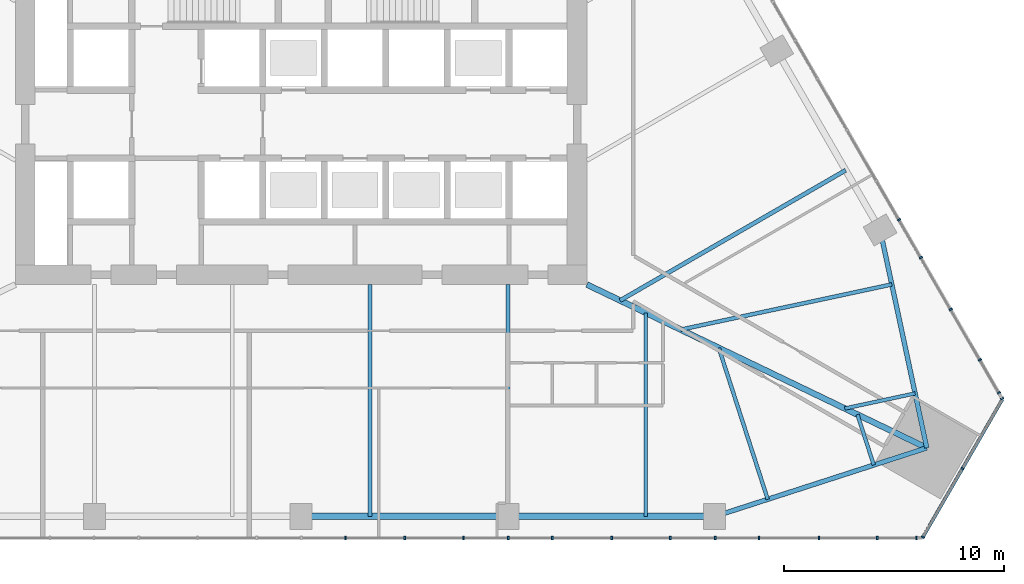
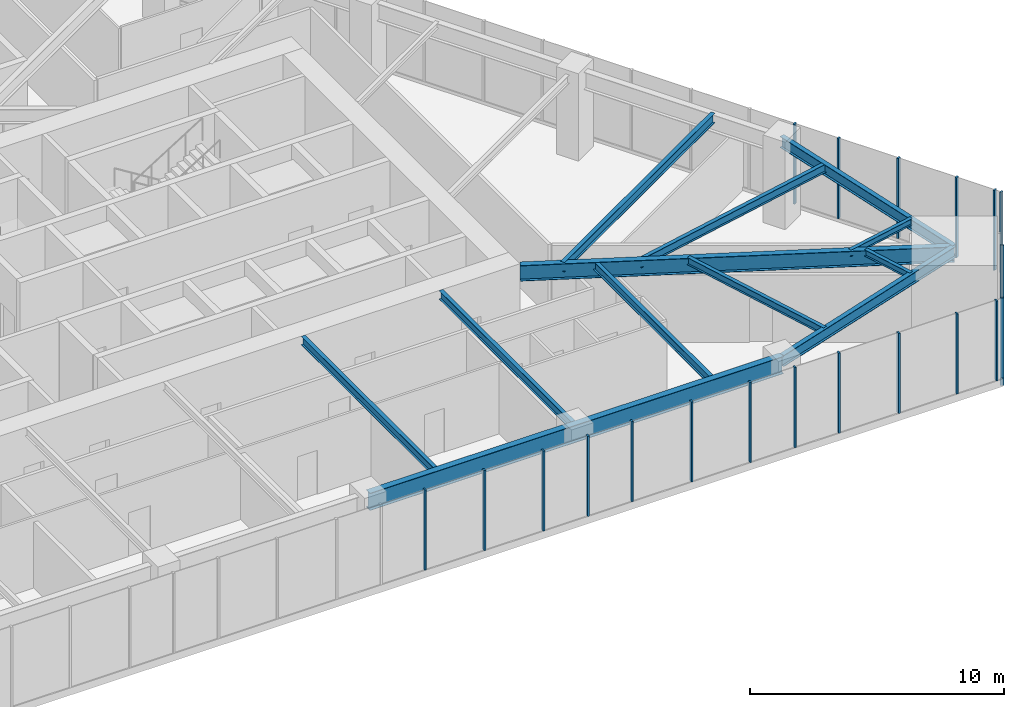
# One storey, part 6 of 21: 21 members, 12 beams, 3 elements without a shape of their own.
"""IFC4 building model written with IfcOpenShell, lengths in metres."""

from ifc_helpers import new_model, si_unit, direction, frame, origin, origin_2d, place, context, subcontext, project, spatial, rectangle, i_section, extrude, material, layer, layer_set, material_profile, profile_set, type_object, element, aggregate, save


model = new_model("IFC4")

# Units and contexts
model_context = context("Model", 3, precision=1e-05, world=origin(), true_north=direction((0.0, 1.0)))
body_context = subcontext(model_context, "Body", "Model", "MODEL_VIEW")
ifc_project = project(units=[si_unit("LENGTHUNIT", "METRE"), si_unit("AREAUNIT", "SQUARE_METRE"), si_unit("VOLUMEUNIT", "CUBIC_METRE"), si_unit("PLANEANGLEUNIT", "RADIAN"), si_unit("MASSUNIT", "GRAM", prefix="KILO")], contexts=[model_context])

# Site, building, storey
site_placement = place(None, origin())
site = spatial("IfcSite", under=ifc_project, at=site_placement, CompositionType="ELEMENT")
building_placement = place(site_placement, origin())
building = spatial("IfcBuilding", under=site, at=building_placement, Name="Firuza Gate Tower and Library", CompositionType="ELEMENT")
storey_placement = place(building_placement, frame((0.0, 0.0, 98.800048828125)))
storey = spatial("IfcBuildingStorey", under=building, at=storey_placement, Name="L22", CompositionType="ELEMENT", Elevation=98.800048828125)

# Curtain wall, members
ifc_material_1 = material(Name="Aluminium 6063-T6", Category="aluminium")
ifc_layer_1 = layer(ifc_material_1, 0.14990234375)
ifc_layer_set_1 = layer_set([ifc_layer_1], Name="Unitised curtain wall, offices")
curtain_wall_type_1 = type_object("IfcCurtainWallType", Name="Unitised curtain wall, offices", PredefinedType="NOTDEFINED", material=ifc_layer_set_1)
placement = place(storey_placement, origin())
curtain_wall_1 = element("IfcCurtainWall", 1, at=placement, inside=storey, type_object=curtain_wall_type_1, Name="CW1 L22 S face", PredefinedType="NOTDEFINED")
ifc_material_2 = material(Name="Aluminium 6063-T6", Category="aluminium")
ifc_material_profile_1 = material_profile(ifc_material_2, rectangle(XDim=0.14990234375, YDim=0.080078125, at=origin_2d()))
ifc_profile_set_1 = profile_set([ifc_material_profile_1], Name="Aluminium 6063-T6")
member_type_1 = type_object("IfcMemberType", Name="Curtain wall mullion 80x150", PredefinedType="MULLION", material=ifc_profile_set_1)
member_1_placement = place(storey_placement, frame((79.708984375, 54.48095703125, 0.14990234375), z_axis=(0.0, 0.0, 1.0), x_axis=(0.0, 1.0, 0.0)))
member_1 = element("IfcMember", 2, at=member_1_placement, type_object=member_type_1, Name="Mullion", PredefinedType="MULLION", context=body_context, shape_type="SweptSolid", body=[
    extrude(rectangle(XDim=0.14990234375, YDim=0.080078125, at=origin_2d()), origin(), (0.0, 0.0, 1.0), 3.85009765625),
])
member_2_placement = place(storey_placement, frame((84.417724609375, 54.48095703125, 0.14990234375), z_axis=(0.0, 0.0, 1.0), x_axis=(0.0, 1.0, 0.0)))
member_2 = element("IfcMember", 3, at=member_2_placement, type_object=member_type_1, Name="Mullion", PredefinedType="MULLION", context=body_context, shape_type="SweptSolid", body=[
    extrude(rectangle(XDim=0.14990234375, YDim=0.080078125, at=origin_2d()), origin(), (0.0, 0.0, 1.0), 3.85009765625),
])
member_3_placement = place(storey_placement, frame((89.126708984375, 54.48095703125, 0.14990234375), z_axis=(0.0, 0.0, 1.0), x_axis=(0.0, 1.0, 0.0)))
member_3 = element("IfcMember", 4, at=member_3_placement, type_object=member_type_1, Name="Mullion", PredefinedType="MULLION", context=body_context, shape_type="SweptSolid", body=[
    extrude(rectangle(XDim=0.14990234375, YDim=0.080078125, at=origin_2d()), origin(), (0.0, 0.0, 1.0), 3.85009765625),
])
member_4_placement = place(storey_placement, frame((93.835693359375, 54.48095703125, 0.14990234375), z_axis=(0.0, 0.0, 1.0), x_axis=(0.0, 1.0, 0.0)))
member_4 = element("IfcMember", 5, at=member_4_placement, type_object=member_type_1, Name="Mullion", PredefinedType="MULLION", context=body_context, shape_type="SweptSolid", body=[
    extrude(rectangle(XDim=0.14990234375, YDim=0.080078125, at=origin_2d()), origin(), (0.0, 0.0, 1.0), 3.85009765625),
])
member_5_placement = place(storey_placement, frame((98.54443359375, 54.48095703125, 0.14990234375), z_axis=(0.0, 0.0, 1.0), x_axis=(0.0, 1.0, 0.0)))
member_5 = element("IfcMember", 6, at=member_5_placement, type_object=member_type_1, Name="Mullion", PredefinedType="MULLION", context=body_context, shape_type="SweptSolid", body=[
    extrude(rectangle(XDim=0.14990234375, YDim=0.080078125, at=origin_2d()), origin(), (0.0, 0.0, 1.0), 3.85009765625),
])
member_6_placement = place(storey_placement, frame((77.0166015625, 54.48095703125, 0.14990234375), z_axis=(0.0, 0.0, 1.0), x_axis=(0.0, 1.0, 0.0)))
member_6 = element("IfcMember", 7, at=member_6_placement, type_object=member_type_1, Name="Mullion", PredefinedType="MULLION", context=body_context, shape_type="SweptSolid", body=[
    extrude(rectangle(XDim=0.14990234375, YDim=0.080078125, at=origin_2d()), origin(), (0.0, 0.0, 1.0), 3.85009765625),
])
member_7_placement = place(storey_placement, frame((82.38671875, 54.48095703125, 0.14990234375), z_axis=(0.0, 0.0, 1.0), x_axis=(0.0, 1.0, 0.0)))
member_7 = element("IfcMember", 8, at=member_7_placement, type_object=member_type_1, Name="Mullion", PredefinedType="MULLION", context=body_context, shape_type="SweptSolid", body=[
    extrude(rectangle(XDim=0.14990234375, YDim=0.080078125, at=origin_2d()), origin(), (0.0, 0.0, 1.0), 3.85009765625),
])
member_8_placement = place(storey_placement, frame((86.420166015625, 54.48095703125, 0.14990234375), z_axis=(0.0, 0.0, 1.0), x_axis=(0.0, 1.0, 0.0)))
member_8 = element("IfcMember", 9, at=member_8_placement, type_object=member_type_1, Name="Mullion", PredefinedType="MULLION", context=body_context, shape_type="SweptSolid", body=[
    extrude(rectangle(XDim=0.14990234375, YDim=0.080078125, at=origin_2d()), origin(), (0.0, 0.0, 1.0), 3.85009765625),
])
member_9_placement = place(storey_placement, frame((91.7900390625, 54.48095703125, 0.14990234375), z_axis=(0.0, 0.0, 1.0), x_axis=(0.0, 1.0, 0.0)))
member_9 = element("IfcMember", 10, at=member_9_placement, type_object=member_type_1, Name="Mullion", PredefinedType="MULLION", context=body_context, shape_type="SweptSolid", body=[
    extrude(rectangle(XDim=0.14990234375, YDim=0.080078125, at=origin_2d()), origin(), (0.0, 0.0, 1.0), 3.85009765625),
])
member_10_placement = place(storey_placement, frame((95.823486328125, 54.48095703125, 0.14990234375), z_axis=(0.0, 0.0, 1.0), x_axis=(0.0, 1.0, 0.0)))
member_10 = element("IfcMember", 11, at=member_10_placement, type_object=member_type_1, Name="Mullion", PredefinedType="MULLION", context=body_context, shape_type="SweptSolid", body=[
    extrude(rectangle(XDim=0.14990234375, YDim=0.080078125, at=origin_2d()), origin(), (0.0, 0.0, 1.0), 3.85009765625),
])
member_11_placement = place(storey_placement, frame((101.193359375, 54.48095703125, 0.14990234375), z_axis=(0.0, 0.0, 1.0), x_axis=(0.0, 1.0, 0.0)))
member_11 = element("IfcMember", 12, at=member_11_placement, type_object=member_type_1, Name="Mullion", PredefinedType="MULLION", context=body_context, shape_type="SweptSolid", body=[
    extrude(rectangle(XDim=0.14990234375, YDim=0.080078125, at=origin_2d()), origin(), (0.0, 0.0, 1.0), 3.85009765625),
])
member_12_placement = place(storey_placement, frame((102.9873046875, 54.48095703125, 0.14990234375), z_axis=(0.0, 0.0, 1.0), x_axis=(0.0, 1.0, 0.0)))
member_12 = element("IfcMember", 13, at=member_12_placement, type_object=member_type_1, Name="Mullion", PredefinedType="MULLION", context=body_context, shape_type="SweptSolid", body=[
    extrude(rectangle(XDim=0.14990234375, YDim=0.080078125, at=origin_2d()), origin(), (0.0, 0.0, 1.0), 3.85009765625),
])
aggregate(curtain_wall_1, [member_1, member_2, member_3, member_4, member_5, member_6, member_7, member_8, member_9, member_10, member_11, member_12])

ifc_material_3 = material(Name="Aluminium 6063-T6", Category="aluminium")
ifc_layer_2 = layer(ifc_material_3, 0.14990234375)
ifc_layer_set_2 = layer_set([ifc_layer_2], Name="Corner curtain wall, chamfers")
curtain_wall_type_2 = type_object("IfcCurtainWallType", Name="Corner curtain wall, chamfers", PredefinedType="NOTDEFINED", material=ifc_layer_set_2)
curtain_wall_2 = element("IfcCurtainWall", 14, at=placement, inside=storey, type_object=curtain_wall_type_2, Name="CW4 L22 SE corner", PredefinedType="NOTDEFINED")
member_13_placement = place(storey_placement, frame((103.2734375, 54.515625, 0.14990234375), z_axis=(0.0, 0.0, 1.0), x_axis=(-0.866025403784, 0.5, 0.0)))
member_13 = element("IfcMember", 15, at=member_13_placement, type_object=member_type_1, Name="Mullion", PredefinedType="MULLION", context=body_context, shape_type="SweptSolid", body=[
    extrude(rectangle(XDim=0.14990234375, YDim=0.080078125, at=origin_2d()), origin(), (0.0, 0.0, 1.0), 3.85009765625),
])
member_14_placement = place(storey_placement, frame((105.074951171875, 57.63623046875, 0.14990234375), z_axis=(0.0, 0.0, 1.0), x_axis=(-0.866025403784, 0.5, 0.0)))
member_14 = element("IfcMember", 16, at=member_14_placement, type_object=member_type_1, Name="Mullion", PredefinedType="MULLION", context=body_context, shape_type="SweptSolid", body=[
    extrude(rectangle(XDim=0.14990234375, YDim=0.080078125, at=origin_2d()), origin(), (0.0, 0.0, 1.0), 3.85009765625),
])

curtain_wall_3 = element("IfcCurtainWall", 17, at=placement, inside=storey, type_object=curtain_wall_type_1, Name="CW1 L22 E face", PredefinedType="NOTDEFINED")
member_15_placement = place(storey_placement, frame((106.876708984375, 60.825927734375, 0.14990234375), z_axis=(0.0, 0.0, 1.0), x_axis=(-0.866025403784, -0.5, 0.0)))
member_15 = element("IfcMember", 18, at=member_15_placement, type_object=member_type_1, Name="Mullion", PredefinedType="MULLION", context=body_context, shape_type="SweptSolid", body=[
    extrude(rectangle(XDim=0.14990234375, YDim=0.080078125, at=origin_2d()), origin(), (0.0, 0.0, 1.0), 3.85009765625),
])
member_16_placement = place(storey_placement, frame((104.542236328125, 64.869384765625, 0.14990234375), z_axis=(0.0, 0.0, 1.0), x_axis=(-0.866025403784, -0.5, 0.0)))
member_16 = element("IfcMember", 19, at=member_16_placement, type_object=member_type_1, Name="Mullion", PredefinedType="MULLION", context=body_context, shape_type="SweptSolid", body=[
    extrude(rectangle(XDim=0.14990234375, YDim=0.080078125, at=origin_2d()), origin(), (0.0, 0.0, 1.0), 3.85009765625),
])
member_17_placement = place(storey_placement, frame((102.187744140625, 68.947509765625, 0.14990234375), z_axis=(0.0, 0.0, 1.0), x_axis=(-0.866025403784, -0.5, 0.0)))
member_17 = element("IfcMember", 20, at=member_17_placement, type_object=member_type_1, Name="Mullion", PredefinedType="MULLION", context=body_context, shape_type="SweptSolid", body=[
    extrude(rectangle(XDim=0.14990234375, YDim=0.080078125, at=origin_2d()), origin(), (0.0, 0.0, 1.0), 3.85009765625),
])
member_18_placement = place(storey_placement, frame((106.731201171875, 61.078125, 0.14990234375), z_axis=(0.0, 0.0, 1.0), x_axis=(-0.866025403784, -0.5, 0.0)))
member_18 = element("IfcMember", 21, at=member_18_placement, type_object=member_type_1, Name="Mullion", PredefinedType="MULLION", context=body_context, shape_type="SweptSolid", body=[
    extrude(rectangle(XDim=0.14990234375, YDim=0.080078125, at=origin_2d()), origin(), (0.0, 0.0, 1.0), 3.85009765625),
])
member_19_placement = place(storey_placement, frame((105.86669921875, 62.575439453125, 0.14990234375), z_axis=(0.0, 0.0, 1.0), x_axis=(-0.866025403784, -0.5, 0.0)))
member_19 = element("IfcMember", 22, at=member_19_placement, type_object=member_type_1, Name="Mullion", PredefinedType="MULLION", context=body_context, shape_type="SweptSolid", body=[
    extrude(rectangle(XDim=0.14990234375, YDim=0.080078125, at=origin_2d()), origin(), (0.0, 0.0, 1.0), 3.85009765625),
])
member_20_placement = place(storey_placement, frame((103.181640625, 67.225830078125, 0.14990234375), z_axis=(0.0, 0.0, 1.0), x_axis=(-0.866025403784, -0.5, 0.0)))
member_20 = element("IfcMember", 23, at=member_20_placement, type_object=member_type_1, Name="Mullion", PredefinedType="MULLION", context=body_context, shape_type="SweptSolid", body=[
    extrude(rectangle(XDim=0.14990234375, YDim=0.080078125, at=origin_2d()), origin(), (0.0, 0.0, 1.0), 3.85009765625),
])
aggregate(curtain_wall_3, [member_15, member_16, member_17, member_18, member_19, member_20])

# Member
ifc_material_4 = material(Name="Aluminium 6063-T6", Category="aluminium")
ifc_material_profile_2 = material_profile(ifc_material_4, rectangle(XDim=0.14990234375, YDim=0.35009765625, at=origin_2d()))
ifc_profile_set_2 = profile_set([ifc_material_profile_2], Name="Aluminium 6063-T6")
member_type_2 = type_object("IfcMemberType", Name="Curtain wall transom 350x150", PredefinedType="USERDEFINED", material=ifc_profile_set_2)
member_21_placement = place(storey_placement, frame((103.25341796875, 54.48095703125, -0.025146484375), z_axis=(0.500005719219, 0.866022101766, 0.0), x_axis=(-0.866022101766, 0.500005719219, 0.0)))
member_21 = element("IfcMember", 24, at=member_21_placement, type_object=member_type_2, Name="Transom", ObjectType="TRANSOM", PredefinedType="USERDEFINED", context=body_context, shape_type="SweptSolid", body=[
    extrude(rectangle(XDim=0.14990234375, YDim=0.35009765625, at=origin_2d()), origin(), (0.0, 0.0, 1.0), 7.28662109375),
])

aggregate(curtain_wall_2, [member_13, member_14, member_21])

# Beams
ifc_material_5 = material(Name="Steel S355", Category="steel")
ifc_material_profile_3 = material_profile(ifc_material_5, i_section(OverallWidth=0.1650390625, OverallDepth=0.31005859375, WebThickness=0.005859375, FlangeThickness=0.009765625, at=origin_2d()))
ifc_profile_set_3 = profile_set([ifc_material_profile_3], Name="Steel S355")
beam_type_1 = type_object("IfcBeamType", Name="W310x39 Floor beam", PredefinedType="JOIST", material=ifc_profile_set_3)
beam_1_placement = place(storey_placement, frame((101.0400390625, 57.794189453125, 3.844970703125), z_axis=(-0.307529192358, 0.951538646534, 0.0), x_axis=(-0.951538646534, -0.307529192358, 0.0)))
element("IfcBeam", 25, at=beam_1_placement, inside=storey, type_object=beam_type_1, Name="Floor beam L22 s31", PredefinedType="JOIST", context=body_context, shape_type="SweptSolid", body=[
    extrude(i_section(OverallWidth=0.1650390625, OverallDepth=0.31005859375, WebThickness=0.005859375, FlangeThickness=0.009765625, at=origin_2d()), origin(), (0.0, 0.0, 1.0), 2.411865234375),
])
beam_2_placement = place(storey_placement, frame((102.920654296875, 61.051513671875, 3.844970703125), z_axis=(-0.97783625128, -0.209371119503, 0.0), x_axis=(0.209371119503, -0.97783625128, 0.0)))
element("IfcBeam", 26, at=beam_2_placement, inside=storey, type_object=beam_type_1, Name="Floor beam L22 s40", PredefinedType="JOIST", context=body_context, shape_type="SweptSolid", body=[
    extrude(i_section(OverallWidth=0.1650390625, OverallDepth=0.31005859375, WebThickness=0.005859375, FlangeThickness=0.009765625, at=origin_2d()), origin(), (0.0, 0.0, 1.0), 3.27197265625),
])
ifc_material_6 = material(Name="Steel S355", Category="steel")
ifc_material_profile_4 = material_profile(ifc_material_6, i_section(OverallWidth=0.1708984375, OverallDepth=0.35498046875, WebThickness=0.007080078125, FlangeThickness=0.01171875, at=origin_2d()))
ifc_profile_set_4 = profile_set([ifc_material_profile_4], Name="Steel S355")
beam_type_2 = type_object("IfcBeamType", Name="W360x51 Floor beam", PredefinedType="JOIST", material=ifc_profile_set_4)
beam_3_placement = place(storey_placement, frame((96.2177734375, 56.2353515625, 3.822509765625), z_axis=(-0.307569618225, 0.951525580289, 0.0), x_axis=(-0.951525580289, -0.307569618225, 0.0)))
element("IfcBeam", 27, at=beam_3_placement, inside=storey, type_object=beam_type_2, Name="Floor beam L22 s30", PredefinedType="JOIST", context=body_context, shape_type="SweptSolid", body=[
    extrude(i_section(OverallWidth=0.1708984375, OverallDepth=0.35498046875, WebThickness=0.007080078125, FlangeThickness=0.01171875, at=origin_2d()), origin(), (0.0, 0.0, 1.0), 7.2353515625),
])
ifc_material_7 = material(Name="Steel S355", Category="steel")
ifc_material_profile_5 = material_profile(ifc_material_7, i_section(OverallWidth=0.177978515625, OverallDepth=0.406982421875, WebThickness=0.0078125, FlangeThickness=0.0126953125, at=origin_2d()))
ifc_profile_set_5 = profile_set([ifc_material_profile_5], Name="Steel S355")
beam_type_3 = type_object("IfcBeamType", Name="W410x60 Floor beam", PredefinedType="JOIST", material=ifc_profile_set_5)
for number, where, z_axis, x_axis, name in (
    (28, (78.134521484375, 55.4560546875, 3.79638671875), (0.0, 1.0, 0.0), (-1.0, 0.0, 0.0), "Floor beam L22 s23"),
    (29, (84.4033203125, 55.4560546875, 3.79638671875), (0.0, 1.0, 0.0), (-1.0, 0.0, 0.0), "Floor beam L22 s24"),
):
    element("IfcBeam", number, at=place(storey_placement, frame(where, z_axis=z_axis, x_axis=x_axis)), inside=storey, type_object=beam_type_3, Name=name, PredefinedType="JOIST", context=body_context, shape_type="SweptSolid", body=[
        extrude(i_section(OverallWidth=0.177978515625, OverallDepth=0.406982421875, WebThickness=0.0078125, FlangeThickness=0.0126953125, at=origin_2d()), origin(), (0.0, 0.0, 1.0), 10.5439453125),
    ])
beam_4_placement = place(storey_placement, frame((90.67236328125, 55.4560546875, 3.79638671875), z_axis=(0.0, 1.0, 0.0), x_axis=(-1.0, 0.0, 0.0)))
element("IfcBeam", 30, at=beam_4_placement, inside=storey, type_object=beam_type_3, Name="Floor beam L22 s25", PredefinedType="JOIST", context=body_context, shape_type="SweptSolid", body=[
    extrude(i_section(OverallWidth=0.177978515625, OverallDepth=0.406982421875, WebThickness=0.0078125, FlangeThickness=0.0126953125, at=origin_2d()), origin(), (0.0, 0.0, 1.0), 9.259521484375),
])
beam_5_placement = place(storey_placement, frame((101.859619140625, 66.007080078125, 3.79638671875), z_axis=(-0.977835160952, -0.209376211652, 0.0), x_axis=(0.209376211652, -0.977835160952, 0.0)))
element("IfcBeam", 31, at=beam_5_placement, inside=storey, type_object=beam_type_3, Name="Floor beam L22 s41", PredefinedType="JOIST", context=body_context, shape_type="SweptSolid", body=[
    extrude(i_section(OverallWidth=0.177978515625, OverallDepth=0.406982421875, WebThickness=0.0078125, FlangeThickness=0.0126953125, at=origin_2d()), origin(), (0.0, 0.0, 1.0), 9.815673828125),
])
ifc_material_8 = material(Name="Steel S355", Category="steel")
ifc_material_profile_6 = material_profile(ifc_material_8, i_section(OverallWidth=0.18994140625, OverallDepth=0.45703125, WebThickness=0.009033203125, FlangeThickness=0.014404296875, at=origin_2d()))
ifc_profile_set_6 = profile_set([ifc_material_profile_6], Name="Steel S355")
beam_type_4 = type_object("IfcBeamType", Name="W460x74 Floor beam", PredefinedType="JOIST", material=ifc_profile_set_6)
beam_6_placement = place(storey_placement, frame((99.76171875, 71.199462890625, 3.771484375), z_axis=(-0.866019794698, -0.500009715097, 0.0), x_axis=(0.500009715097, -0.866019794698, 0.0)))
element("IfcBeam", 32, at=beam_6_placement, inside=storey, type_object=beam_type_4, Name="Floor beam L22 s50", PredefinedType="JOIST", context=body_context, shape_type="SweptSolid", body=[
    extrude(i_section(OverallWidth=0.18994140625, OverallDepth=0.45703125, WebThickness=0.009033203125, FlangeThickness=0.014404296875, at=origin_2d()), origin(), (0.0, 0.0, 1.0), 11.844482421875),
])
ifc_material_9 = material(Name="Steel S355", Category="steel")
ifc_material_profile_7 = material_profile(ifc_material_9, i_section(OverallWidth=0.212890625, OverallDepth=0.5390625, WebThickness=0.01171875, FlangeThickness=0.018798828125, at=origin_2d()))
ifc_profile_set_7 = profile_set([ifc_material_profile_7], Name="Steel S355")
beam_type_5 = type_object("IfcBeamType", Name="W530x109 Edge beam", PredefinedType="SPANDREL", material=ifc_profile_set_7)
beam_7_placement = place(storey_placement, frame((93.806640625, 55.4560546875, 3.73046875), z_axis=(0.951520013056, 0.307586840996, 0.0), x_axis=(-0.307586840996, 0.951520013056, 0.0)))
element("IfcBeam", 33, at=beam_7_placement, inside=storey, type_object=beam_type_5, Name="Edge beam L22 e30", PredefinedType="SPANDREL", context=body_context, shape_type="SweptSolid", body=[
    extrude(i_section(OverallWidth=0.212890625, OverallDepth=0.5390625, WebThickness=0.01171875, FlangeThickness=0.018798828125, at=origin_2d()), origin(), (0.0, 0.0, 1.0), 10.135986328125),
])
beam_8_placement = place(storey_placement, frame((103.451171875, 58.57373046875, 3.73046875), z_axis=(-0.209364588878, 0.977837649574, 0.0), x_axis=(-0.977837649574, -0.209364588878, 0.0)))
element("IfcBeam", 34, at=beam_8_placement, inside=storey, type_object=beam_type_5, Name="Edge beam L22 e40", PredefinedType="SPANDREL", context=body_context, shape_type="SweptSolid", body=[
    extrude(i_section(OverallWidth=0.212890625, OverallDepth=0.5390625, WebThickness=0.01171875, FlangeThickness=0.018798828125, at=origin_2d()), origin(), (0.0, 0.0, 1.0), 10.1357421875),
])
ifc_material_10 = material(Name="Steel S355", Category="steel")
ifc_material_profile_8 = material_profile(ifc_material_10, i_section(OverallWidth=0.264892578125, OverallDepth=0.7529296875, WebThickness=0.01318359375, FlangeThickness=0.01708984375, at=origin_2d()))
ifc_profile_set_8 = profile_set([ifc_material_profile_8], Name="Steel S355")
beam_type_6 = type_object("IfcBeamType", Name="W760x147 Girder", PredefinedType="BEAM", material=ifc_profile_set_8)
beam_9_placement = place(storey_placement, frame((103.451171875, 58.57373046875, 3.62353515625), z_axis=(-0.901302042776, 0.433191213771, 0.0), x_axis=(-0.433191213771, -0.901302042776, 0.0)))
element("IfcBeam", 35, at=beam_9_placement, inside=storey, type_object=beam_type_6, Name="Girder L22 gSE", PredefinedType="BEAM", context=body_context, shape_type="SweptSolid", body=[
    extrude(i_section(OverallWidth=0.264892578125, OverallDepth=0.7529296875, WebThickness=0.01318359375, FlangeThickness=0.01708984375, at=origin_2d()), origin(), (0.0, 0.0, 1.0), 17.14306640625),
])
ifc_material_11 = material(Name="Steel S355", Category="steel")
ifc_material_profile_9 = material_profile(ifc_material_11, i_section(OverallWidth=0.2919921875, OverallDepth=0.8349609375, WebThickness=0.013916015625, FlangeThickness=0.018798828125, at=origin_2d()))
ifc_profile_set_9 = profile_set([ifc_material_profile_9], Name="Steel S355")
beam_type_7 = type_object("IfcBeamType", Name="W840x176 Edge beam", PredefinedType="SPANDREL", material=ifc_profile_set_9)
beam_10_placement = place(storey_placement, frame((75.0, 55.4560546875, 3.58251953125), z_axis=(1.0, 0.0, 0.0), x_axis=(0.0, 1.0, 0.0)))
element("IfcBeam", 36, at=beam_10_placement, inside=storey, type_object=beam_type_7, Name="Edge beam L22 e22", PredefinedType="SPANDREL", context=body_context, shape_type="SweptSolid", body=[
    extrude(i_section(OverallWidth=0.2919921875, OverallDepth=0.8349609375, WebThickness=0.013916015625, FlangeThickness=0.018798828125, at=origin_2d()), origin(), (0.0, 0.0, 1.0), 18.806640625),
])

save(model, "model.ifc")
